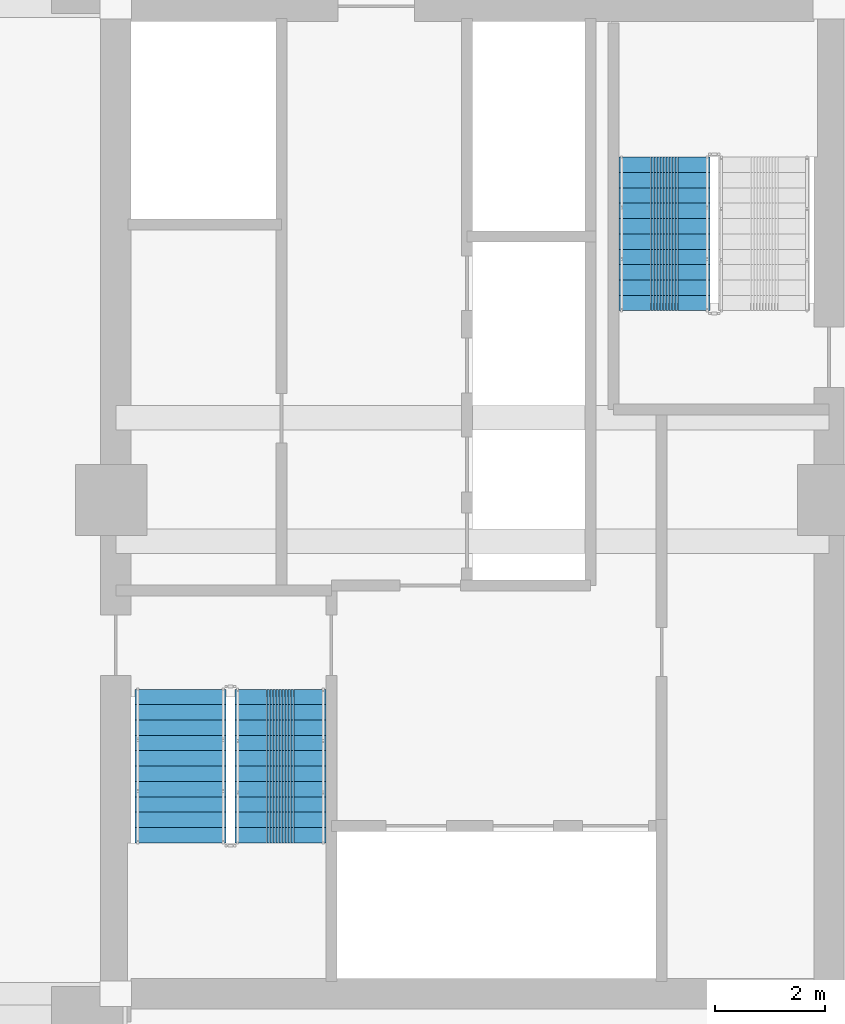
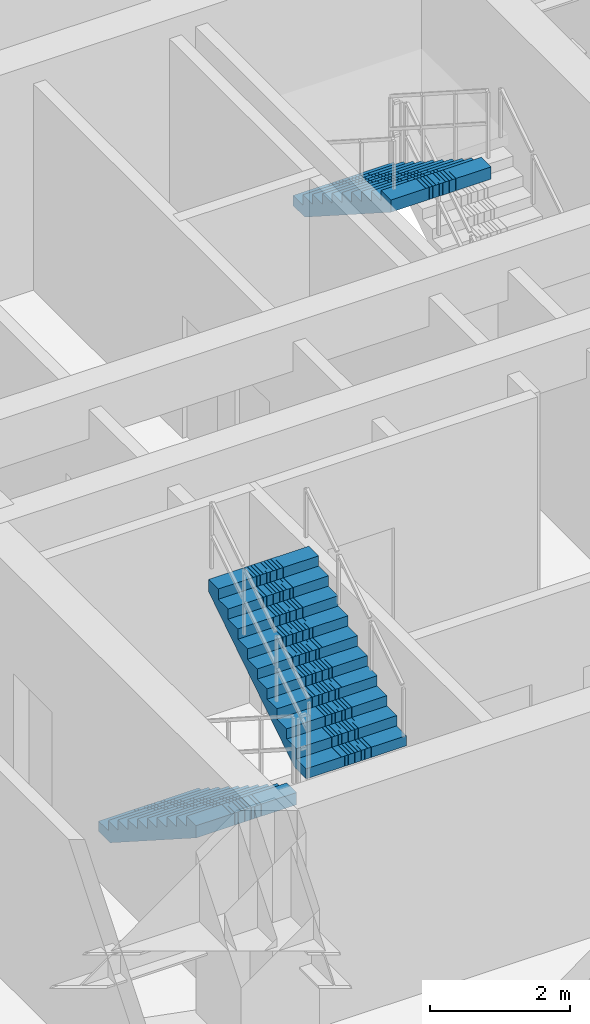
# One storey, part 30 of 35: 3 stair flights, 2 elements without a shape of their own.
"""IFC4 building model written with IfcOpenShell, lengths in metres."""

from ifc_helpers import new_model, si_unit, direction, frame, origin, place, context, subcontext, project, spatial, polyline, outline, extrude, material, type_object, element, aggregate, save


model = new_model("IFC4")

# Units and contexts
model_context = context("Model", 3, precision=1e-05, world=origin(), true_north=direction((0.0, 1.0)))
body_context = subcontext(model_context, "Body", "Model", "MODEL_VIEW")
ifc_project = project(units=[si_unit("LENGTHUNIT", "METRE"), si_unit("AREAUNIT", "SQUARE_METRE"), si_unit("VOLUMEUNIT", "CUBIC_METRE"), si_unit("PLANEANGLEUNIT", "RADIAN"), si_unit("MASSUNIT", "GRAM", prefix="KILO")], contexts=[model_context])

# Site, building, storey
site_placement = place(None, origin())
site = spatial("IfcSite", under=ifc_project, at=site_placement, CompositionType="ELEMENT")
building_placement = place(site_placement, origin())
building = spatial("IfcBuilding", under=site, at=building_placement, Name="Saelheon Loggia Tower", CompositionType="ELEMENT")
storey_placement = place(building_placement, frame((0.0, 0.0, 144.75)))
storey = spatial("IfcBuildingStorey", under=building, at=storey_placement, Name="L46", CompositionType="ELEMENT", Elevation=144.75)

# Stair, stair flights
ifc_material = material(Name="Concrete C40/50", Category="concrete")
stair_type = type_object("IfcStairType", Name="Stair_Escape_Core", PredefinedType="HALF_TURN_STAIR", material=ifc_material)
stair_1_placement = place(storey_placement, origin())
stair_1 = element("IfcStair", 1, at=stair_1_placement, inside=storey, type_object=stair_type, Name="L46 Special Escape Stair ST1", PredefinedType="HALF_TURN_STAIR")
stair_flight_type = type_object("IfcStairFlightType", Name="StairFlight_Tower_1660", PredefinedType="STRAIGHT", material=ifc_material)
stair_flight_1_placement = place(storey_placement, frame((32.679931640625, 23.550048828125, 0.0), z_axis=(0.0, 0.0, 1.0), x_axis=(0.0, -1.0, 0.0)))
stair_flight_1 = element("IfcStairFlight", 2, at=stair_flight_1_placement, type_object=stair_flight_type, Name="ST1 flight 1", NumberOfRisers=11, NumberOfTreads=10, PredefinedType="STRAIGHT", RiserHeight=0.179545455, TreadLength=0.28, context=body_context, shape_type="SweptSolid", body=[
    extrude(outline(polyline([(0.0, 0.0), (0.0, 0.179443359375), (0.280029296875, 0.179443359375), (0.280029296875, 0.359130859375), (0.56005859375, 0.359130859375), (0.56005859375, 0.53857421875), (0.840087890625, 0.53857421875), (0.840087890625, 0.71826171875), (1.1201171875, 0.71826171875), (1.1201171875, 0.897705078125), (1.39990234375, 0.897705078125), (1.39990234375, 1.077392578125), (1.679931640625, 1.077392578125), (1.679931640625, 1.2568359375), (1.9599609375, 1.2568359375), (1.9599609375, 1.436279296875), (2.239990234375, 1.436279296875), (2.239990234375, 1.615966796875), (2.52001953125, 1.615966796875), (2.52001953125, 1.79541015625), (2.800048828125, 1.79541015625), (2.800048828125, 1.97509765625), (2.800048828125, 1.581787109375), (0.333251953125, 0.0), (0.0, 0.0)])), frame((0.0, -0.2490234375, 0.0), z_axis=(0.0, -1.0, 0.0), x_axis=(1.0, 0.0, 0.0)), (0.0, 0.0, 1.0), 0.5810546875),
    extrude(outline(polyline([(0.0, 0.0), (0.0, 0.179443359375), (0.280029296875, 0.179443359375), (0.280029296875, 0.359130859375), (0.56005859375, 0.359130859375), (0.56005859375, 0.53857421875), (0.840087890625, 0.53857421875), (0.840087890625, 0.71826171875), (1.1201171875, 0.71826171875), (1.1201171875, 0.897705078125), (1.39990234375, 0.897705078125), (1.39990234375, 1.077392578125), (1.679931640625, 1.077392578125), (1.679931640625, 1.2568359375), (1.9599609375, 1.2568359375), (1.9599609375, 1.436279296875), (2.239990234375, 1.436279296875), (2.239990234375, 1.615966796875), (2.52001953125, 1.615966796875), (2.52001953125, 1.79541015625), (2.800048828125, 1.79541015625), (2.800048828125, 1.97509765625), (2.800048828125, 1.581787109375), (0.333251953125, 0.0), (0.0, 0.0)])), frame((0.0, -0.194091796875, 0.0), z_axis=(0.0, -1.0, 0.0), x_axis=(1.0, 0.0, 0.0)), (0.0, 0.0, 1.0), 0.0498046875),
    extrude(outline(polyline([(0.0, 0.0), (0.0, 0.179443359375), (0.280029296875, 0.179443359375), (0.280029296875, 0.359130859375), (0.56005859375, 0.359130859375), (0.56005859375, 0.53857421875), (0.840087890625, 0.53857421875), (0.840087890625, 0.71826171875), (1.1201171875, 0.71826171875), (1.1201171875, 0.897705078125), (1.39990234375, 0.897705078125), (1.39990234375, 1.077392578125), (1.679931640625, 1.077392578125), (1.679931640625, 1.2568359375), (1.9599609375, 1.2568359375), (1.9599609375, 1.436279296875), (2.239990234375, 1.436279296875), (2.239990234375, 1.615966796875), (2.52001953125, 1.615966796875), (2.52001953125, 1.79541015625), (2.800048828125, 1.79541015625), (2.800048828125, 1.97509765625), (2.800048828125, 1.581787109375), (0.333251953125, 0.0), (0.0, 0.0)])), frame((0.0, -0.139404296875, 0.0), z_axis=(0.0, -1.0, 0.0), x_axis=(1.0, 0.0, 0.0)), (0.0, 0.0, 1.0), 0.0498046875),
    extrude(outline(polyline([(0.0, 0.0), (0.0, 0.179443359375), (0.280029296875, 0.179443359375), (0.280029296875, 0.359130859375), (0.56005859375, 0.359130859375), (0.56005859375, 0.53857421875), (0.840087890625, 0.53857421875), (0.840087890625, 0.71826171875), (1.1201171875, 0.71826171875), (1.1201171875, 0.897705078125), (1.39990234375, 0.897705078125), (1.39990234375, 1.077392578125), (1.679931640625, 1.077392578125), (1.679931640625, 1.2568359375), (1.9599609375, 1.2568359375), (1.9599609375, 1.436279296875), (2.239990234375, 1.436279296875), (2.239990234375, 1.615966796875), (2.52001953125, 1.615966796875), (2.52001953125, 1.79541015625), (2.800048828125, 1.79541015625), (2.800048828125, 1.97509765625), (2.800048828125, 1.581787109375), (0.333251953125, 0.0), (0.0, 0.0)])), frame((0.0, -0.084716796875, 0.0), z_axis=(0.0, -1.0, 0.0), x_axis=(1.0, 0.0, 0.0)), (0.0, 0.0, 1.0), 0.0498046875),
    extrude(outline(polyline([(0.0, 0.0), (0.0, 0.179443359375), (0.280029296875, 0.179443359375), (0.280029296875, 0.359130859375), (0.56005859375, 0.359130859375), (0.56005859375, 0.53857421875), (0.840087890625, 0.53857421875), (0.840087890625, 0.71826171875), (1.1201171875, 0.71826171875), (1.1201171875, 0.897705078125), (1.39990234375, 0.897705078125), (1.39990234375, 1.077392578125), (1.679931640625, 1.077392578125), (1.679931640625, 1.2568359375), (1.9599609375, 1.2568359375), (1.9599609375, 1.436279296875), (2.239990234375, 1.436279296875), (2.239990234375, 1.615966796875), (2.52001953125, 1.615966796875), (2.52001953125, 1.79541015625), (2.800048828125, 1.79541015625), (2.800048828125, 1.97509765625), (2.800048828125, 1.581787109375), (0.333251953125, 0.0), (0.0, 0.0)])), frame((0.0, -0.02978515625, 0.0), z_axis=(0.0, -1.0, 0.0), x_axis=(1.0, 0.0, 0.0)), (0.0, 0.0, 1.0), 0.0498046875),
    extrude(outline(polyline([(0.0, 0.0), (0.0, 0.179443359375), (0.280029296875, 0.179443359375), (0.280029296875, 0.359130859375), (0.56005859375, 0.359130859375), (0.56005859375, 0.53857421875), (0.840087890625, 0.53857421875), (0.840087890625, 0.71826171875), (1.1201171875, 0.71826171875), (1.1201171875, 0.897705078125), (1.39990234375, 0.897705078125), (1.39990234375, 1.077392578125), (1.679931640625, 1.077392578125), (1.679931640625, 1.2568359375), (1.9599609375, 1.2568359375), (1.9599609375, 1.436279296875), (2.239990234375, 1.436279296875), (2.239990234375, 1.615966796875), (2.52001953125, 1.615966796875), (2.52001953125, 1.79541015625), (2.800048828125, 1.79541015625), (2.800048828125, 1.97509765625), (2.800048828125, 1.581787109375), (0.333251953125, 0.0), (0.0, 0.0)])), frame((0.0, 0.02490234375, 0.0), z_axis=(0.0, -1.0, 0.0), x_axis=(1.0, 0.0, 0.0)), (0.0, 0.0, 1.0), 0.0498046875),
    extrude(outline(polyline([(0.0, 0.0), (0.0, 0.179443359375), (0.280029296875, 0.179443359375), (0.280029296875, 0.359130859375), (0.56005859375, 0.359130859375), (0.56005859375, 0.53857421875), (0.840087890625, 0.53857421875), (0.840087890625, 0.71826171875), (1.1201171875, 0.71826171875), (1.1201171875, 0.897705078125), (1.39990234375, 0.897705078125), (1.39990234375, 1.077392578125), (1.679931640625, 1.077392578125), (1.679931640625, 1.2568359375), (1.9599609375, 1.2568359375), (1.9599609375, 1.436279296875), (2.239990234375, 1.436279296875), (2.239990234375, 1.615966796875), (2.52001953125, 1.615966796875), (2.52001953125, 1.79541015625), (2.800048828125, 1.79541015625), (2.800048828125, 1.97509765625), (2.800048828125, 1.581787109375), (0.333251953125, 0.0), (0.0, 0.0)])), frame((0.0, 0.07958984375, 0.0), z_axis=(0.0, -1.0, 0.0), x_axis=(1.0, 0.0, 0.0)), (0.0, 0.0, 1.0), 0.0498046875),
    extrude(outline(polyline([(0.0, 0.0), (0.0, 0.179443359375), (0.280029296875, 0.179443359375), (0.280029296875, 0.359130859375), (0.56005859375, 0.359130859375), (0.56005859375, 0.53857421875), (0.840087890625, 0.53857421875), (0.840087890625, 0.71826171875), (1.1201171875, 0.71826171875), (1.1201171875, 0.897705078125), (1.39990234375, 0.897705078125), (1.39990234375, 1.077392578125), (1.679931640625, 1.077392578125), (1.679931640625, 1.2568359375), (1.9599609375, 1.2568359375), (1.9599609375, 1.436279296875), (2.239990234375, 1.436279296875), (2.239990234375, 1.615966796875), (2.52001953125, 1.615966796875), (2.52001953125, 1.79541015625), (2.800048828125, 1.79541015625), (2.800048828125, 1.97509765625), (2.800048828125, 1.581787109375), (0.333251953125, 0.0), (0.0, 0.0)])), frame((0.0, 0.134521484375, 0.0), z_axis=(0.0, -1.0, 0.0), x_axis=(1.0, 0.0, 0.0)), (0.0, 0.0, 1.0), 0.0498046875),
    extrude(outline(polyline([(0.0, 0.0), (0.0, 0.179443359375), (0.280029296875, 0.179443359375), (0.280029296875, 0.359130859375), (0.56005859375, 0.359130859375), (0.56005859375, 0.53857421875), (0.840087890625, 0.53857421875), (0.840087890625, 0.71826171875), (1.1201171875, 0.71826171875), (1.1201171875, 0.897705078125), (1.39990234375, 0.897705078125), (1.39990234375, 1.077392578125), (1.679931640625, 1.077392578125), (1.679931640625, 1.2568359375), (1.9599609375, 1.2568359375), (1.9599609375, 1.436279296875), (2.239990234375, 1.436279296875), (2.239990234375, 1.615966796875), (2.52001953125, 1.615966796875), (2.52001953125, 1.79541015625), (2.800048828125, 1.79541015625), (2.800048828125, 1.97509765625), (2.800048828125, 1.581787109375), (0.333251953125, 0.0), (0.0, 0.0)])), frame((0.0, 0.189208984375, 0.0), z_axis=(0.0, -1.0, 0.0), x_axis=(1.0, 0.0, 0.0)), (0.0, 0.0, 1.0), 0.0498046875),
    extrude(outline(polyline([(0.0, 0.0), (0.0, 0.179443359375), (0.280029296875, 0.179443359375), (0.280029296875, 0.359130859375), (0.56005859375, 0.359130859375), (0.56005859375, 0.53857421875), (0.840087890625, 0.53857421875), (0.840087890625, 0.71826171875), (1.1201171875, 0.71826171875), (1.1201171875, 0.897705078125), (1.39990234375, 0.897705078125), (1.39990234375, 1.077392578125), (1.679931640625, 1.077392578125), (1.679931640625, 1.2568359375), (1.9599609375, 1.2568359375), (1.9599609375, 1.436279296875), (2.239990234375, 1.436279296875), (2.239990234375, 1.615966796875), (2.52001953125, 1.615966796875), (2.52001953125, 1.79541015625), (2.800048828125, 1.79541015625), (2.800048828125, 1.97509765625), (2.800048828125, 1.581787109375), (0.333251953125, 0.0), (0.0, 0.0)])), frame((0.0, 0.243896484375, 0.0), z_axis=(0.0, -1.0, 0.0), x_axis=(1.0, 0.0, 0.0)), (0.0, 0.0, 1.0), 0.0498046875),
    extrude(outline(polyline([(0.0, 0.0), (0.0, 0.179443359375), (0.280029296875, 0.179443359375), (0.280029296875, 0.359130859375), (0.56005859375, 0.359130859375), (0.56005859375, 0.53857421875), (0.840087890625, 0.53857421875), (0.840087890625, 0.71826171875), (1.1201171875, 0.71826171875), (1.1201171875, 0.897705078125), (1.39990234375, 0.897705078125), (1.39990234375, 1.077392578125), (1.679931640625, 1.077392578125), (1.679931640625, 1.2568359375), (1.9599609375, 1.2568359375), (1.9599609375, 1.436279296875), (2.239990234375, 1.436279296875), (2.239990234375, 1.615966796875), (2.52001953125, 1.615966796875), (2.52001953125, 1.79541015625), (2.800048828125, 1.79541015625), (2.800048828125, 1.97509765625), (2.800048828125, 1.581787109375), (0.333251953125, 0.0), (0.0, 0.0)])), frame((0.0, 0.830078125, 0.0), z_axis=(0.0, -1.0, 0.0), x_axis=(1.0, 0.0, 0.0)), (0.0, 0.0, 1.0), 0.5810546875),
])
stair_flight_2_placement = place(storey_placement, frame((34.5, 20.75, 1.97509765625), z_axis=(0.0, 0.0, 1.0), x_axis=(0.0, 1.0, 0.0)))
stair_flight_2 = element("IfcStairFlight", 3, at=stair_flight_2_placement, type_object=stair_flight_type, Name="ST1 flight 2", NumberOfRisers=11, NumberOfTreads=10, PredefinedType="STRAIGHT", RiserHeight=0.179545455, TreadLength=0.28, context=body_context, shape_type="SweptSolid", body=[
    extrude(outline(polyline([(0.0, 0.0), (0.0, 0.179443359375), (0.280029296875, 0.179443359375), (0.280029296875, 0.359130859375), (0.56005859375, 0.359130859375), (0.56005859375, 0.53857421875), (0.840087890625, 0.53857421875), (0.840087890625, 0.71826171875), (1.1201171875, 0.71826171875), (1.1201171875, 0.897705078125), (1.39990234375, 0.897705078125), (1.39990234375, 1.077392578125), (1.679931640625, 1.077392578125), (1.679931640625, 1.2568359375), (1.9599609375, 1.2568359375), (1.9599609375, 1.436279296875), (2.239990234375, 1.436279296875), (2.239990234375, 1.615966796875), (2.52001953125, 1.615966796875), (2.52001953125, 1.79541015625), (2.800048828125, 1.79541015625), (2.800048828125, 1.97509765625), (2.800048828125, 1.581787109375), (0.333251953125, 0.0), (0.0, 0.0)])), frame((0.0, -0.2490234375, 0.0), z_axis=(0.0, -1.0, 0.0), x_axis=(1.0, 0.0, 0.0)), (0.0, 0.0, 1.0), 0.5810546875),
    extrude(outline(polyline([(0.0, 0.0), (0.0, 0.179443359375), (0.280029296875, 0.179443359375), (0.280029296875, 0.359130859375), (0.56005859375, 0.359130859375), (0.56005859375, 0.53857421875), (0.840087890625, 0.53857421875), (0.840087890625, 0.71826171875), (1.1201171875, 0.71826171875), (1.1201171875, 0.897705078125), (1.39990234375, 0.897705078125), (1.39990234375, 1.077392578125), (1.679931640625, 1.077392578125), (1.679931640625, 1.2568359375), (1.9599609375, 1.2568359375), (1.9599609375, 1.436279296875), (2.239990234375, 1.436279296875), (2.239990234375, 1.615966796875), (2.52001953125, 1.615966796875), (2.52001953125, 1.79541015625), (2.800048828125, 1.79541015625), (2.800048828125, 1.97509765625), (2.800048828125, 1.581787109375), (0.333251953125, 0.0), (0.0, 0.0)])), frame((0.0, -0.194091796875, 0.0), z_axis=(0.0, -1.0, 0.0), x_axis=(1.0, 0.0, 0.0)), (0.0, 0.0, 1.0), 0.0498046875),
    extrude(outline(polyline([(0.0, 0.0), (0.0, 0.179443359375), (0.280029296875, 0.179443359375), (0.280029296875, 0.359130859375), (0.56005859375, 0.359130859375), (0.56005859375, 0.53857421875), (0.840087890625, 0.53857421875), (0.840087890625, 0.71826171875), (1.1201171875, 0.71826171875), (1.1201171875, 0.897705078125), (1.39990234375, 0.897705078125), (1.39990234375, 1.077392578125), (1.679931640625, 1.077392578125), (1.679931640625, 1.2568359375), (1.9599609375, 1.2568359375), (1.9599609375, 1.436279296875), (2.239990234375, 1.436279296875), (2.239990234375, 1.615966796875), (2.52001953125, 1.615966796875), (2.52001953125, 1.79541015625), (2.800048828125, 1.79541015625), (2.800048828125, 1.97509765625), (2.800048828125, 1.581787109375), (0.333251953125, 0.0), (0.0, 0.0)])), frame((0.0, -0.139404296875, 0.0), z_axis=(0.0, -1.0, 0.0), x_axis=(1.0, 0.0, 0.0)), (0.0, 0.0, 1.0), 0.0498046875),
    extrude(outline(polyline([(0.0, 0.0), (0.0, 0.179443359375), (0.280029296875, 0.179443359375), (0.280029296875, 0.359130859375), (0.56005859375, 0.359130859375), (0.56005859375, 0.53857421875), (0.840087890625, 0.53857421875), (0.840087890625, 0.71826171875), (1.1201171875, 0.71826171875), (1.1201171875, 0.897705078125), (1.39990234375, 0.897705078125), (1.39990234375, 1.077392578125), (1.679931640625, 1.077392578125), (1.679931640625, 1.2568359375), (1.9599609375, 1.2568359375), (1.9599609375, 1.436279296875), (2.239990234375, 1.436279296875), (2.239990234375, 1.615966796875), (2.52001953125, 1.615966796875), (2.52001953125, 1.79541015625), (2.800048828125, 1.79541015625), (2.800048828125, 1.97509765625), (2.800048828125, 1.581787109375), (0.333251953125, 0.0), (0.0, 0.0)])), frame((0.0, -0.084716796875, 0.0), z_axis=(0.0, -1.0, 0.0), x_axis=(1.0, 0.0, 0.0)), (0.0, 0.0, 1.0), 0.0498046875),
    extrude(outline(polyline([(0.0, 0.0), (0.0, 0.179443359375), (0.280029296875, 0.179443359375), (0.280029296875, 0.359130859375), (0.56005859375, 0.359130859375), (0.56005859375, 0.53857421875), (0.840087890625, 0.53857421875), (0.840087890625, 0.71826171875), (1.1201171875, 0.71826171875), (1.1201171875, 0.897705078125), (1.39990234375, 0.897705078125), (1.39990234375, 1.077392578125), (1.679931640625, 1.077392578125), (1.679931640625, 1.2568359375), (1.9599609375, 1.2568359375), (1.9599609375, 1.436279296875), (2.239990234375, 1.436279296875), (2.239990234375, 1.615966796875), (2.52001953125, 1.615966796875), (2.52001953125, 1.79541015625), (2.800048828125, 1.79541015625), (2.800048828125, 1.97509765625), (2.800048828125, 1.581787109375), (0.333251953125, 0.0), (0.0, 0.0)])), frame((0.0, -0.02978515625, 0.0), z_axis=(0.0, -1.0, 0.0), x_axis=(1.0, 0.0, 0.0)), (0.0, 0.0, 1.0), 0.0498046875),
    extrude(outline(polyline([(0.0, 0.0), (0.0, 0.179443359375), (0.280029296875, 0.179443359375), (0.280029296875, 0.359130859375), (0.56005859375, 0.359130859375), (0.56005859375, 0.53857421875), (0.840087890625, 0.53857421875), (0.840087890625, 0.71826171875), (1.1201171875, 0.71826171875), (1.1201171875, 0.897705078125), (1.39990234375, 0.897705078125), (1.39990234375, 1.077392578125), (1.679931640625, 1.077392578125), (1.679931640625, 1.2568359375), (1.9599609375, 1.2568359375), (1.9599609375, 1.436279296875), (2.239990234375, 1.436279296875), (2.239990234375, 1.615966796875), (2.52001953125, 1.615966796875), (2.52001953125, 1.79541015625), (2.800048828125, 1.79541015625), (2.800048828125, 1.97509765625), (2.800048828125, 1.581787109375), (0.333251953125, 0.0), (0.0, 0.0)])), frame((0.0, 0.02490234375, 0.0), z_axis=(0.0, -1.0, 0.0), x_axis=(1.0, 0.0, 0.0)), (0.0, 0.0, 1.0), 0.0498046875),
    extrude(outline(polyline([(0.0, 0.0), (0.0, 0.179443359375), (0.280029296875, 0.179443359375), (0.280029296875, 0.359130859375), (0.56005859375, 0.359130859375), (0.56005859375, 0.53857421875), (0.840087890625, 0.53857421875), (0.840087890625, 0.71826171875), (1.1201171875, 0.71826171875), (1.1201171875, 0.897705078125), (1.39990234375, 0.897705078125), (1.39990234375, 1.077392578125), (1.679931640625, 1.077392578125), (1.679931640625, 1.2568359375), (1.9599609375, 1.2568359375), (1.9599609375, 1.436279296875), (2.239990234375, 1.436279296875), (2.239990234375, 1.615966796875), (2.52001953125, 1.615966796875), (2.52001953125, 1.79541015625), (2.800048828125, 1.79541015625), (2.800048828125, 1.97509765625), (2.800048828125, 1.581787109375), (0.333251953125, 0.0), (0.0, 0.0)])), frame((0.0, 0.07958984375, 0.0), z_axis=(0.0, -1.0, 0.0), x_axis=(1.0, 0.0, 0.0)), (0.0, 0.0, 1.0), 0.0498046875),
    extrude(outline(polyline([(0.0, 0.0), (0.0, 0.179443359375), (0.280029296875, 0.179443359375), (0.280029296875, 0.359130859375), (0.56005859375, 0.359130859375), (0.56005859375, 0.53857421875), (0.840087890625, 0.53857421875), (0.840087890625, 0.71826171875), (1.1201171875, 0.71826171875), (1.1201171875, 0.897705078125), (1.39990234375, 0.897705078125), (1.39990234375, 1.077392578125), (1.679931640625, 1.077392578125), (1.679931640625, 1.2568359375), (1.9599609375, 1.2568359375), (1.9599609375, 1.436279296875), (2.239990234375, 1.436279296875), (2.239990234375, 1.615966796875), (2.52001953125, 1.615966796875), (2.52001953125, 1.79541015625), (2.800048828125, 1.79541015625), (2.800048828125, 1.97509765625), (2.800048828125, 1.581787109375), (0.333251953125, 0.0), (0.0, 0.0)])), frame((0.0, 0.134521484375, 0.0), z_axis=(0.0, -1.0, 0.0), x_axis=(1.0, 0.0, 0.0)), (0.0, 0.0, 1.0), 0.0498046875),
    extrude(outline(polyline([(0.0, 0.0), (0.0, 0.179443359375), (0.280029296875, 0.179443359375), (0.280029296875, 0.359130859375), (0.56005859375, 0.359130859375), (0.56005859375, 0.53857421875), (0.840087890625, 0.53857421875), (0.840087890625, 0.71826171875), (1.1201171875, 0.71826171875), (1.1201171875, 0.897705078125), (1.39990234375, 0.897705078125), (1.39990234375, 1.077392578125), (1.679931640625, 1.077392578125), (1.679931640625, 1.2568359375), (1.9599609375, 1.2568359375), (1.9599609375, 1.436279296875), (2.239990234375, 1.436279296875), (2.239990234375, 1.615966796875), (2.52001953125, 1.615966796875), (2.52001953125, 1.79541015625), (2.800048828125, 1.79541015625), (2.800048828125, 1.97509765625), (2.800048828125, 1.581787109375), (0.333251953125, 0.0), (0.0, 0.0)])), frame((0.0, 0.189208984375, 0.0), z_axis=(0.0, -1.0, 0.0), x_axis=(1.0, 0.0, 0.0)), (0.0, 0.0, 1.0), 0.0498046875),
    extrude(outline(polyline([(0.0, 0.0), (0.0, 0.179443359375), (0.280029296875, 0.179443359375), (0.280029296875, 0.359130859375), (0.56005859375, 0.359130859375), (0.56005859375, 0.53857421875), (0.840087890625, 0.53857421875), (0.840087890625, 0.71826171875), (1.1201171875, 0.71826171875), (1.1201171875, 0.897705078125), (1.39990234375, 0.897705078125), (1.39990234375, 1.077392578125), (1.679931640625, 1.077392578125), (1.679931640625, 1.2568359375), (1.9599609375, 1.2568359375), (1.9599609375, 1.436279296875), (2.239990234375, 1.436279296875), (2.239990234375, 1.615966796875), (2.52001953125, 1.615966796875), (2.52001953125, 1.79541015625), (2.800048828125, 1.79541015625), (2.800048828125, 1.97509765625), (2.800048828125, 1.581787109375), (0.333251953125, 0.0), (0.0, 0.0)])), frame((0.0, 0.243896484375, 0.0), z_axis=(0.0, -1.0, 0.0), x_axis=(1.0, 0.0, 0.0)), (0.0, 0.0, 1.0), 0.0498046875),
    extrude(outline(polyline([(0.0, 0.0), (0.0, 0.179443359375), (0.280029296875, 0.179443359375), (0.280029296875, 0.359130859375), (0.56005859375, 0.359130859375), (0.56005859375, 0.53857421875), (0.840087890625, 0.53857421875), (0.840087890625, 0.71826171875), (1.1201171875, 0.71826171875), (1.1201171875, 0.897705078125), (1.39990234375, 0.897705078125), (1.39990234375, 1.077392578125), (1.679931640625, 1.077392578125), (1.679931640625, 1.2568359375), (1.9599609375, 1.2568359375), (1.9599609375, 1.436279296875), (2.239990234375, 1.436279296875), (2.239990234375, 1.615966796875), (2.52001953125, 1.615966796875), (2.52001953125, 1.79541015625), (2.800048828125, 1.79541015625), (2.800048828125, 1.97509765625), (2.800048828125, 1.581787109375), (0.333251953125, 0.0), (0.0, 0.0)])), frame((0.0, 0.830078125, 0.0), z_axis=(0.0, -1.0, 0.0), x_axis=(1.0, 0.0, 0.0)), (0.0, 0.0, 1.0), 0.5810546875),
])
aggregate(stair_1, [stair_flight_1, stair_flight_2])

# Stair, stair flight
stair_2_placement = place(storey_placement, origin())
stair_2 = element("IfcStair", 4, at=stair_2_placement, inside=storey, type_object=stair_type, Name="L46 Special Escape Stair ST2", PredefinedType="HALF_TURN_STAIR")
stair_flight_3_placement = place(storey_placement, frame((41.5, 33.25, 1.97509765625), z_axis=(0.0, 0.0, 1.0), x_axis=(0.0, -1.0, 0.0)))
stair_flight_3 = element("IfcStairFlight", 5, at=stair_flight_3_placement, type_object=stair_flight_type, Name="ST2 flight 2", NumberOfRisers=11, NumberOfTreads=10, PredefinedType="STRAIGHT", RiserHeight=0.179545455, TreadLength=0.28, context=body_context, shape_type="SweptSolid", body=[
    extrude(outline(polyline([(0.0, 0.0), (0.0, 0.179443359375), (0.280029296875, 0.179443359375), (0.280029296875, 0.359130859375), (0.56005859375, 0.359130859375), (0.56005859375, 0.53857421875), (0.840087890625, 0.53857421875), (0.840087890625, 0.71826171875), (1.1201171875, 0.71826171875), (1.1201171875, 0.897705078125), (1.39990234375, 0.897705078125), (1.39990234375, 1.077392578125), (1.679931640625, 1.077392578125), (1.679931640625, 1.2568359375), (1.9599609375, 1.2568359375), (1.9599609375, 1.436279296875), (2.239990234375, 1.436279296875), (2.239990234375, 1.615966796875), (2.52001953125, 1.615966796875), (2.52001953125, 1.79541015625), (2.800048828125, 1.79541015625), (2.800048828125, 1.97509765625), (2.800048828125, 1.581787109375), (0.333251953125, 0.0), (0.0, 0.0)])), frame((0.0, -0.2490234375, 0.0), z_axis=(0.0, -1.0, 0.0), x_axis=(1.0, 0.0, 0.0)), (0.0, 0.0, 1.0), 0.5810546875),
    extrude(outline(polyline([(0.0, 0.0), (0.0, 0.179443359375), (0.280029296875, 0.179443359375), (0.280029296875, 0.359130859375), (0.56005859375, 0.359130859375), (0.56005859375, 0.53857421875), (0.840087890625, 0.53857421875), (0.840087890625, 0.71826171875), (1.1201171875, 0.71826171875), (1.1201171875, 0.897705078125), (1.39990234375, 0.897705078125), (1.39990234375, 1.077392578125), (1.679931640625, 1.077392578125), (1.679931640625, 1.2568359375), (1.9599609375, 1.2568359375), (1.9599609375, 1.436279296875), (2.239990234375, 1.436279296875), (2.239990234375, 1.615966796875), (2.52001953125, 1.615966796875), (2.52001953125, 1.79541015625), (2.800048828125, 1.79541015625), (2.800048828125, 1.97509765625), (2.800048828125, 1.581787109375), (0.333251953125, 0.0), (0.0, 0.0)])), frame((0.0, -0.194091796875, 0.0), z_axis=(0.0, -1.0, 0.0), x_axis=(1.0, 0.0, 0.0)), (0.0, 0.0, 1.0), 0.0498046875),
    extrude(outline(polyline([(0.0, 0.0), (0.0, 0.179443359375), (0.280029296875, 0.179443359375), (0.280029296875, 0.359130859375), (0.56005859375, 0.359130859375), (0.56005859375, 0.53857421875), (0.840087890625, 0.53857421875), (0.840087890625, 0.71826171875), (1.1201171875, 0.71826171875), (1.1201171875, 0.897705078125), (1.39990234375, 0.897705078125), (1.39990234375, 1.077392578125), (1.679931640625, 1.077392578125), (1.679931640625, 1.2568359375), (1.9599609375, 1.2568359375), (1.9599609375, 1.436279296875), (2.239990234375, 1.436279296875), (2.239990234375, 1.615966796875), (2.52001953125, 1.615966796875), (2.52001953125, 1.79541015625), (2.800048828125, 1.79541015625), (2.800048828125, 1.97509765625), (2.800048828125, 1.581787109375), (0.333251953125, 0.0), (0.0, 0.0)])), frame((0.0, -0.139404296875, 0.0), z_axis=(0.0, -1.0, 0.0), x_axis=(1.0, 0.0, 0.0)), (0.0, 0.0, 1.0), 0.0498046875),
    extrude(outline(polyline([(0.0, 0.0), (0.0, 0.179443359375), (0.280029296875, 0.179443359375), (0.280029296875, 0.359130859375), (0.56005859375, 0.359130859375), (0.56005859375, 0.53857421875), (0.840087890625, 0.53857421875), (0.840087890625, 0.71826171875), (1.1201171875, 0.71826171875), (1.1201171875, 0.897705078125), (1.39990234375, 0.897705078125), (1.39990234375, 1.077392578125), (1.679931640625, 1.077392578125), (1.679931640625, 1.2568359375), (1.9599609375, 1.2568359375), (1.9599609375, 1.436279296875), (2.239990234375, 1.436279296875), (2.239990234375, 1.615966796875), (2.52001953125, 1.615966796875), (2.52001953125, 1.79541015625), (2.800048828125, 1.79541015625), (2.800048828125, 1.97509765625), (2.800048828125, 1.581787109375), (0.333251953125, 0.0), (0.0, 0.0)])), frame((0.0, -0.084716796875, 0.0), z_axis=(0.0, -1.0, 0.0), x_axis=(1.0, 0.0, 0.0)), (0.0, 0.0, 1.0), 0.0498046875),
    extrude(outline(polyline([(0.0, 0.0), (0.0, 0.179443359375), (0.280029296875, 0.179443359375), (0.280029296875, 0.359130859375), (0.56005859375, 0.359130859375), (0.56005859375, 0.53857421875), (0.840087890625, 0.53857421875), (0.840087890625, 0.71826171875), (1.1201171875, 0.71826171875), (1.1201171875, 0.897705078125), (1.39990234375, 0.897705078125), (1.39990234375, 1.077392578125), (1.679931640625, 1.077392578125), (1.679931640625, 1.2568359375), (1.9599609375, 1.2568359375), (1.9599609375, 1.436279296875), (2.239990234375, 1.436279296875), (2.239990234375, 1.615966796875), (2.52001953125, 1.615966796875), (2.52001953125, 1.79541015625), (2.800048828125, 1.79541015625), (2.800048828125, 1.97509765625), (2.800048828125, 1.581787109375), (0.333251953125, 0.0), (0.0, 0.0)])), frame((0.0, -0.02978515625, 0.0), z_axis=(0.0, -1.0, 0.0), x_axis=(1.0, 0.0, 0.0)), (0.0, 0.0, 1.0), 0.0498046875),
    extrude(outline(polyline([(0.0, 0.0), (0.0, 0.179443359375), (0.280029296875, 0.179443359375), (0.280029296875, 0.359130859375), (0.56005859375, 0.359130859375), (0.56005859375, 0.53857421875), (0.840087890625, 0.53857421875), (0.840087890625, 0.71826171875), (1.1201171875, 0.71826171875), (1.1201171875, 0.897705078125), (1.39990234375, 0.897705078125), (1.39990234375, 1.077392578125), (1.679931640625, 1.077392578125), (1.679931640625, 1.2568359375), (1.9599609375, 1.2568359375), (1.9599609375, 1.436279296875), (2.239990234375, 1.436279296875), (2.239990234375, 1.615966796875), (2.52001953125, 1.615966796875), (2.52001953125, 1.79541015625), (2.800048828125, 1.79541015625), (2.800048828125, 1.97509765625), (2.800048828125, 1.581787109375), (0.333251953125, 0.0), (0.0, 0.0)])), frame((0.0, 0.02490234375, 0.0), z_axis=(0.0, -1.0, 0.0), x_axis=(1.0, 0.0, 0.0)), (0.0, 0.0, 1.0), 0.0498046875),
    extrude(outline(polyline([(0.0, 0.0), (0.0, 0.179443359375), (0.280029296875, 0.179443359375), (0.280029296875, 0.359130859375), (0.56005859375, 0.359130859375), (0.56005859375, 0.53857421875), (0.840087890625, 0.53857421875), (0.840087890625, 0.71826171875), (1.1201171875, 0.71826171875), (1.1201171875, 0.897705078125), (1.39990234375, 0.897705078125), (1.39990234375, 1.077392578125), (1.679931640625, 1.077392578125), (1.679931640625, 1.2568359375), (1.9599609375, 1.2568359375), (1.9599609375, 1.436279296875), (2.239990234375, 1.436279296875), (2.239990234375, 1.615966796875), (2.52001953125, 1.615966796875), (2.52001953125, 1.79541015625), (2.800048828125, 1.79541015625), (2.800048828125, 1.97509765625), (2.800048828125, 1.581787109375), (0.333251953125, 0.0), (0.0, 0.0)])), frame((0.0, 0.07958984375, 0.0), z_axis=(0.0, -1.0, 0.0), x_axis=(1.0, 0.0, 0.0)), (0.0, 0.0, 1.0), 0.0498046875),
    extrude(outline(polyline([(0.0, 0.0), (0.0, 0.179443359375), (0.280029296875, 0.179443359375), (0.280029296875, 0.359130859375), (0.56005859375, 0.359130859375), (0.56005859375, 0.53857421875), (0.840087890625, 0.53857421875), (0.840087890625, 0.71826171875), (1.1201171875, 0.71826171875), (1.1201171875, 0.897705078125), (1.39990234375, 0.897705078125), (1.39990234375, 1.077392578125), (1.679931640625, 1.077392578125), (1.679931640625, 1.2568359375), (1.9599609375, 1.2568359375), (1.9599609375, 1.436279296875), (2.239990234375, 1.436279296875), (2.239990234375, 1.615966796875), (2.52001953125, 1.615966796875), (2.52001953125, 1.79541015625), (2.800048828125, 1.79541015625), (2.800048828125, 1.97509765625), (2.800048828125, 1.581787109375), (0.333251953125, 0.0), (0.0, 0.0)])), frame((0.0, 0.134521484375, 0.0), z_axis=(0.0, -1.0, 0.0), x_axis=(1.0, 0.0, 0.0)), (0.0, 0.0, 1.0), 0.0498046875),
    extrude(outline(polyline([(0.0, 0.0), (0.0, 0.179443359375), (0.280029296875, 0.179443359375), (0.280029296875, 0.359130859375), (0.56005859375, 0.359130859375), (0.56005859375, 0.53857421875), (0.840087890625, 0.53857421875), (0.840087890625, 0.71826171875), (1.1201171875, 0.71826171875), (1.1201171875, 0.897705078125), (1.39990234375, 0.897705078125), (1.39990234375, 1.077392578125), (1.679931640625, 1.077392578125), (1.679931640625, 1.2568359375), (1.9599609375, 1.2568359375), (1.9599609375, 1.436279296875), (2.239990234375, 1.436279296875), (2.239990234375, 1.615966796875), (2.52001953125, 1.615966796875), (2.52001953125, 1.79541015625), (2.800048828125, 1.79541015625), (2.800048828125, 1.97509765625), (2.800048828125, 1.581787109375), (0.333251953125, 0.0), (0.0, 0.0)])), frame((0.0, 0.189208984375, 0.0), z_axis=(0.0, -1.0, 0.0), x_axis=(1.0, 0.0, 0.0)), (0.0, 0.0, 1.0), 0.0498046875),
    extrude(outline(polyline([(0.0, 0.0), (0.0, 0.179443359375), (0.280029296875, 0.179443359375), (0.280029296875, 0.359130859375), (0.56005859375, 0.359130859375), (0.56005859375, 0.53857421875), (0.840087890625, 0.53857421875), (0.840087890625, 0.71826171875), (1.1201171875, 0.71826171875), (1.1201171875, 0.897705078125), (1.39990234375, 0.897705078125), (1.39990234375, 1.077392578125), (1.679931640625, 1.077392578125), (1.679931640625, 1.2568359375), (1.9599609375, 1.2568359375), (1.9599609375, 1.436279296875), (2.239990234375, 1.436279296875), (2.239990234375, 1.615966796875), (2.52001953125, 1.615966796875), (2.52001953125, 1.79541015625), (2.800048828125, 1.79541015625), (2.800048828125, 1.97509765625), (2.800048828125, 1.581787109375), (0.333251953125, 0.0), (0.0, 0.0)])), frame((0.0, 0.243896484375, 0.0), z_axis=(0.0, -1.0, 0.0), x_axis=(1.0, 0.0, 0.0)), (0.0, 0.0, 1.0), 0.0498046875),
    extrude(outline(polyline([(0.0, 0.0), (0.0, 0.179443359375), (0.280029296875, 0.179443359375), (0.280029296875, 0.359130859375), (0.56005859375, 0.359130859375), (0.56005859375, 0.53857421875), (0.840087890625, 0.53857421875), (0.840087890625, 0.71826171875), (1.1201171875, 0.71826171875), (1.1201171875, 0.897705078125), (1.39990234375, 0.897705078125), (1.39990234375, 1.077392578125), (1.679931640625, 1.077392578125), (1.679931640625, 1.2568359375), (1.9599609375, 1.2568359375), (1.9599609375, 1.436279296875), (2.239990234375, 1.436279296875), (2.239990234375, 1.615966796875), (2.52001953125, 1.615966796875), (2.52001953125, 1.79541015625), (2.800048828125, 1.79541015625), (2.800048828125, 1.97509765625), (2.800048828125, 1.581787109375), (0.333251953125, 0.0), (0.0, 0.0)])), frame((0.0, 0.830078125, 0.0), z_axis=(0.0, -1.0, 0.0), x_axis=(1.0, 0.0, 0.0)), (0.0, 0.0, 1.0), 0.5810546875),
])
aggregate(stair_2, [stair_flight_3])

save(model, "model.ifc")
